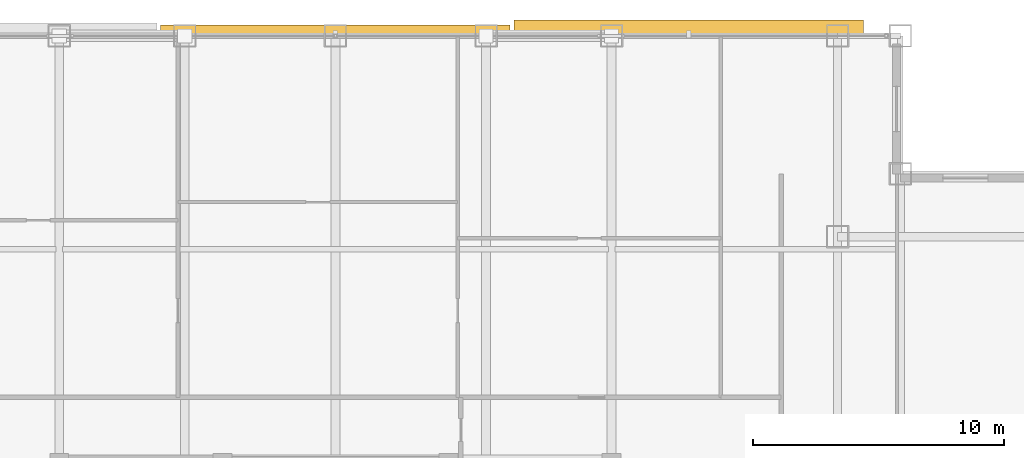
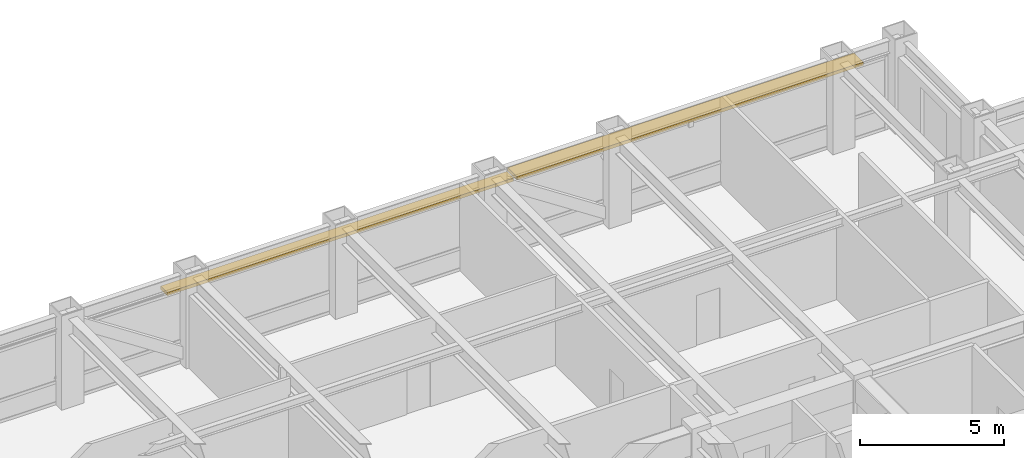
# One storey, part 27 of 27: 2 shading devices.
"""IFC4 building model written with IfcOpenShell, lengths in metres."""

from ifc_helpers import new_model, si_unit, direction, frame, origin, origin_2d, place, context, subcontext, project, spatial, rectangle, extrude, source, transform, mapped, material, layer, layer_set, type_object, element, save


model = new_model("IFC4")

# Units and contexts
model_context = context("Model", 3, precision=1e-05, world=origin(), true_north=direction((0.0, 1.0)))
body_context = subcontext(model_context, "Body", "Model", "MODEL_VIEW")
ifc_project = project(units=[si_unit("LENGTHUNIT", "METRE"), si_unit("AREAUNIT", "SQUARE_METRE"), si_unit("VOLUMEUNIT", "CUBIC_METRE"), si_unit("PLANEANGLEUNIT", "RADIAN"), si_unit("MASSUNIT", "GRAM", prefix="KILO")], contexts=[model_context])

# Site, building, storey
site_placement = place(None, origin())
site = spatial("IfcSite", under=ifc_project, at=site_placement, CompositionType="ELEMENT")
building_placement = place(site_placement, origin())
building = spatial("IfcBuilding", under=site, at=building_placement, Name="Khorayat Bourse Tower", CompositionType="ELEMENT")
storey_placement = place(building_placement, frame((0.0, 0.0, 285.5)))
storey = spatial("IfcBuildingStorey", under=building, at=storey_placement, Name="L67", CompositionType="ELEMENT", Elevation=285.5)

# Shading devices
ifc_material = material(Name="Precast concrete C45/55", Category="concrete")
ifc_layer = layer(ifc_material, 0.139892578125)
ifc_layer_set = layer_set([ifc_layer], Name="Precast concrete C45/55")
shading_device_type = type_object("IfcShadingDeviceType", Name="SHD-WAVE-TRAY-B", PredefinedType="USERDEFINED", material=ifc_layer_set)
shared_shape_1 = source(origin(), body_context, "Body", "SweptSolid", [
    extrude(rectangle(XDim=13.9267578125, YDim=0.458984375, at=origin_2d()), origin(), (0.0, 0.0, 1.0), 0.139892578125),
])
shading_device_1_placement = place(storey_placement, frame((0.0, 28.209716796875, 3.0302734375), z_axis=(0.0, 0.0, 1.0), x_axis=(1.0, 0.0, 0.0)))
element("IfcShadingDevice", 1, at=shading_device_1_placement, inside=storey, type_object=shading_device_type, Name="L67 Sinusoidal Wave Sunshade Tray N-2", ObjectType="SUNSHADE", PredefinedType="USERDEFINED", context=body_context, shape_type="MappedRepresentation", body=[
    mapped(shared_shape_1, transform((0.0, 0.0, 0.0), scale=1.0)),
])
shared_shape_2 = source(origin(), body_context, "Body", "SweptSolid", [
    extrude(rectangle(XDim=13.9267578125, YDim=0.65087890625, at=origin_2d()), origin(), (0.0, 0.0, 1.0), 0.139892578125),
])
shading_device_2_placement = place(storey_placement, frame((14.066650390625, 28.305419921875, 3.0302734375), z_axis=(0.0, 0.0, 1.0), x_axis=(1.0, 0.0, 0.0)))
element("IfcShadingDevice", 2, at=shading_device_2_placement, inside=storey, type_object=shading_device_type, Name="L67 Sinusoidal Wave Sunshade Tray N-3", ObjectType="SUNSHADE", PredefinedType="USERDEFINED", context=body_context, shape_type="MappedRepresentation", body=[
    mapped(shared_shape_2, transform((0.0, 0.0, 0.0), scale=1.0)),
])

save(model, "model.ifc")
